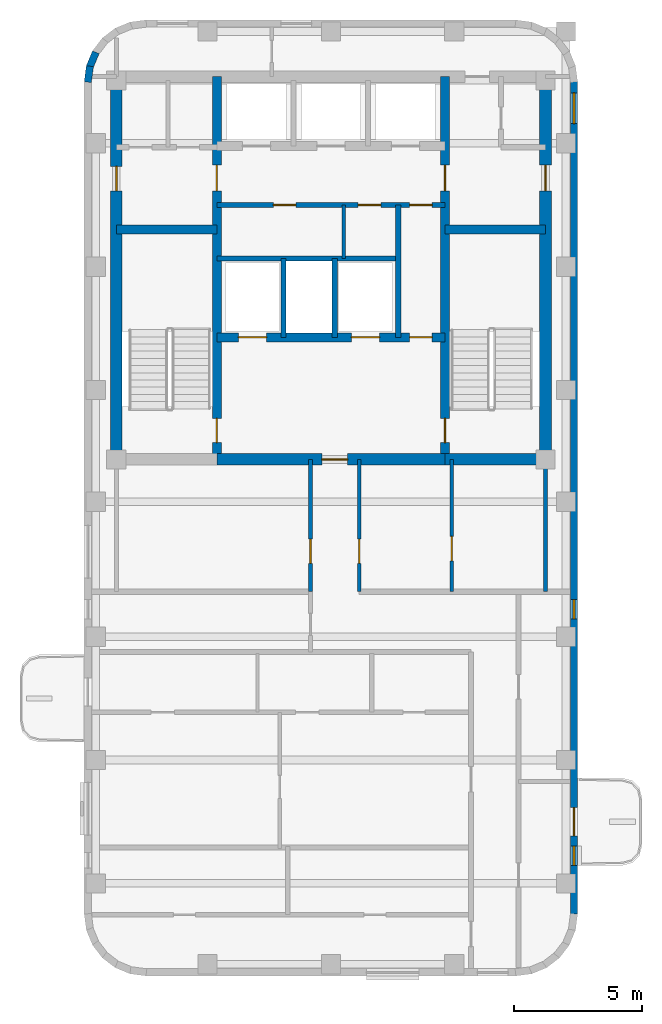
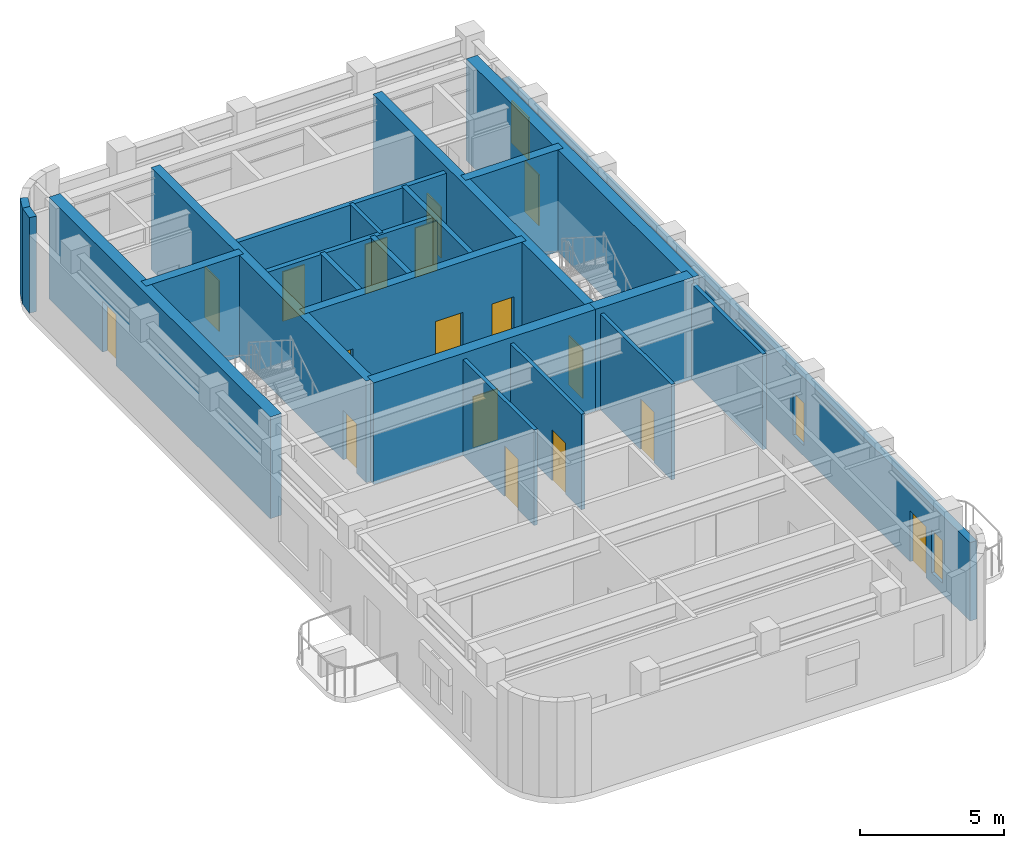
# One storey, part 3 of 5: 22 walls, 17 doors, 3 windows, 20 openings.
"""IFC4 building model written with IfcOpenShell, lengths in metres."""

from ifc_helpers import new_model, si_unit, direction, frame, frame_2d, origin, place, context, subcontext, project, spatial, rectangle, extrude, material, layer, layer_set, type_object, element, fill, save


model = new_model("IFC4")

# Units and contexts
model_context = context("Model", 3, precision=1e-05, world=origin(), true_north=direction((0.0, 1.0)))
body_context = subcontext(model_context, "Body", "Model", "MODEL_VIEW")
ifc_project = project(units=[si_unit("LENGTHUNIT", "METRE"), si_unit("AREAUNIT", "SQUARE_METRE"), si_unit("VOLUMEUNIT", "CUBIC_METRE"), si_unit("PLANEANGLEUNIT", "RADIAN"), si_unit("MASSUNIT", "GRAM", prefix="KILO")], contexts=[model_context])

# Site, building, storey
site_placement = place(None, origin())
site = spatial("IfcSite", under=ifc_project, at=site_placement, CompositionType="ELEMENT")
building_placement = place(site_placement, origin())
building = spatial("IfcBuilding", under=site, at=building_placement, Name="Orvandelia Arch Residences", CompositionType="ELEMENT")
storey_placement = place(building_placement, frame((0.0, 0.0, 282.800048828125)))
storey = spatial("IfcBuildingStorey", under=building, at=storey_placement, Name="L73", CompositionType="ELEMENT", Elevation=282.800048828125)

# Wall, openings, doors
ifc_material_1 = material(Name="Concrete C50/60", Category="concrete")
ifc_layer_1 = layer(ifc_material_1, 0.35009765625, Name="Concrete C50/60", Category="concrete")
ifc_layer_set_1 = layer_set([ifc_layer_1], Name="Concrete C50/60")
wall_type_1 = type_object("IfcWallType", Name="WL-CORE-350", PredefinedType="SHEAR", material=ifc_layer_set_1)
wall_1_placement = place(storey_placement, frame((9.9599609375, 30.89990234375, 0.0), z_axis=(0.0, 0.0, 1.0), x_axis=(0.0, 1.0, 0.0)))
wall_1 = element("IfcWall", 1, at=wall_1_placement, inside=storey, type_object=wall_type_1, Name="Core Shear Wall L73-WEB1", PredefinedType="SHEAR", context=body_context, shape_type="SweptSolid", body=[
    extrude(rectangle(XDim=14.900146484375, YDim=0.35009765625, at=frame_2d((7.4501953125, 0.0))), origin(), (0.0, 0.0, 1.0), 4.300048828125),
])
opening_1_placement = place(wall_1_placement, frame((0.64990234375, 0.0, 0.0)))
opening_1 = element("IfcOpeningElement", 2, at=opening_1_placement, cuts=wall_1, Name="Opening D7", PredefinedType="OPENING", context=body_context, shape_type="SweptSolid", body=[
    extrude(rectangle(XDim=0.949951171875, YDim=2.10009765625, at=frame_2d((0.47509765625, 1.050048828125))), frame((0.0, 0.18505859375, 0.0), z_axis=(0.0, -1.0, 0.0), x_axis=(1.0, 0.0, 0.0)), (0.0, 0.0, 1.0), 0.3701171875),
])
opening_2_placement = place(wall_1_placement, frame((10.449951171875, 0.0, 0.0)))
opening_2 = element("IfcOpeningElement", 3, at=opening_2_placement, cuts=wall_1, Name="Opening D6", PredefinedType="OPENING", context=body_context, shape_type="SweptSolid", body=[
    extrude(rectangle(XDim=1.0, YDim=2.14990234375, at=frame_2d((0.5, 1.074951171875))), frame((0.0, 0.18505859375, 0.0), z_axis=(0.0, -1.0, 0.0), x_axis=(1.0, 0.0, 0.0)), (0.0, 0.0, 1.0), 0.3701171875),
])
ifc_material_2 = material(Name="Smokeproof Painted Steel Fire Door", Category="steel")
door_type_1 = type_object("IfcDoorType", Name="DR-FD60-1000", OperationType="NOTDEFINED", PredefinedType="DOOR", material=ifc_material_2)
door_1_placement = place(opening_2_placement, origin())
door_1 = element("IfcDoor", 4, at=door_1_placement, inside=storey, type_object=door_type_1, Name="High-Rise Lift Hall West Vestibule Door L73", OperationType="SINGLE_SWING_LEFT", OverallHeight=2.14990234375, OverallWidth=1.0, PredefinedType="DOOR", context=body_context, shape_type="SweptSolid", body=[
    extrude(rectangle(XDim=1.0, YDim=2.14990234375, at=frame_2d((0.5, 1.074951171875))), frame((0.0, 0.02490234375, 0.0), z_axis=(0.0, -1.0, 0.0), x_axis=(1.0, 0.0, 0.0)), (0.0, 0.0, 1.0), 0.050048828125),
])
fill(opening_2, door_1)
ifc_material_3 = material(Name="Pressurised Stairwell Fire Door")
door_type_2 = type_object("IfcDoorType", Name="DR-STAIR-950", OperationType="NOTDEFINED", PredefinedType="DOOR", material=ifc_material_3)
door_2_placement = place(opening_1_placement, origin())
door_2 = element("IfcDoor", 5, at=door_2_placement, inside=storey, type_object=door_type_2, Name="Stairwell ST-1 Fire Door L73", OperationType="SINGLE_SWING_LEFT", OverallHeight=2.10009765625, OverallWidth=0.949951171875, PredefinedType="DOOR", context=body_context, shape_type="SweptSolid", body=[
    extrude(rectangle(XDim=0.949951171875, YDim=2.10009765625, at=frame_2d((0.47509765625, 1.050048828125))), frame((0.0, 0.02490234375, 0.0), z_axis=(0.0, -1.0, 0.0), x_axis=(1.0, 0.0, 0.0)), (0.0, 0.0, 1.0), 0.050048828125),
])
fill(opening_1, door_2)

wall_2_placement = place(storey_placement, frame((18.840087890625, 30.89990234375, 0.0), z_axis=(0.0, 0.0, 1.0), x_axis=(0.0, 1.0, 0.0)))
wall_2 = element("IfcWall", 6, at=wall_2_placement, inside=storey, type_object=wall_type_1, Name="Core Shear Wall L73-WEB2", PredefinedType="SHEAR", context=body_context, shape_type="SweptSolid", body=[
    extrude(rectangle(XDim=14.900146484375, YDim=0.35009765625, at=frame_2d((7.4501953125, 0.0))), origin(), (0.0, 0.0, 1.0), 4.300048828125),
])
opening_3_placement = place(wall_2_placement, frame((0.64990234375, 0.0, 0.0)))
opening_3 = element("IfcOpeningElement", 7, at=opening_3_placement, cuts=wall_2, Name="Opening D7", PredefinedType="OPENING", context=body_context, shape_type="SweptSolid", body=[
    extrude(rectangle(XDim=0.949951171875, YDim=2.10009765625, at=frame_2d((0.47509765625, 1.050048828125))), frame((0.0, 0.18505859375, 0.0), z_axis=(0.0, -1.0, 0.0), x_axis=(1.0, 0.0, 0.0)), (0.0, 0.0, 1.0), 0.3701171875),
])
opening_4_placement = place(wall_2_placement, frame((10.449951171875, 0.0, 0.0)))
opening_4 = element("IfcOpeningElement", 8, at=opening_4_placement, cuts=wall_2, Name="Opening D6", PredefinedType="OPENING", context=body_context, shape_type="SweptSolid", body=[
    extrude(rectangle(XDim=1.0, YDim=2.14990234375, at=frame_2d((0.5, 1.074951171875))), frame((0.0, 0.18505859375, 0.0), z_axis=(0.0, -1.0, 0.0), x_axis=(1.0, 0.0, 0.0)), (0.0, 0.0, 1.0), 0.3701171875),
])
door_3_placement = place(opening_4_placement, origin())
door_3 = element("IfcDoor", 9, at=door_3_placement, inside=storey, type_object=door_type_1, Name="High-Rise Lift Hall East Vestibule Door L73", OperationType="SINGLE_SWING_RIGHT", OverallHeight=2.14990234375, OverallWidth=1.0, PredefinedType="DOOR", context=body_context, shape_type="SweptSolid", body=[
    extrude(rectangle(XDim=1.0, YDim=2.14990234375, at=frame_2d((0.5, 1.074951171875))), frame((0.0, 0.02490234375, 0.0), z_axis=(0.0, -1.0, 0.0), x_axis=(1.0, 0.0, 0.0)), (0.0, 0.0, 1.0), 0.050048828125),
])
fill(opening_4, door_3)
door_4_placement = place(opening_3_placement, origin())
door_4 = element("IfcDoor", 10, at=door_4_placement, inside=storey, type_object=door_type_2, Name="Stairwell ST-2 Fire Door L73", OperationType="SINGLE_SWING_RIGHT", OverallHeight=2.10009765625, OverallWidth=0.949951171875, PredefinedType="DOOR", context=body_context, shape_type="SweptSolid", body=[
    extrude(rectangle(XDim=0.949951171875, YDim=2.10009765625, at=frame_2d((0.47509765625, 1.050048828125))), frame((0.0, 0.02490234375, 0.0), z_axis=(0.0, -1.0, 0.0), x_axis=(1.0, 0.0, 0.0)), (0.0, 0.0, 1.0), 0.050048828125),
])
fill(opening_3, door_4)

# Walls
for number, where, z_axis, x_axis, name in (
    (11, (6.050048828125, 39.85009765625, 0.0), (0.0, 0.0, 1.0), (1.0, 0.0, 0.0), "Core Shear Wall L73-HZ1"),
    (12, (18.840087890625, 39.85009765625, 0.0), (0.0, 0.0, 1.0), (1.0, 0.0, 0.0), "Core Shear Wall L73-HZ2"),
):
    element("IfcWall", number, at=place(storey_placement, frame(where, z_axis=z_axis, x_axis=x_axis)), inside=storey, type_object=wall_type_1, Name=name, PredefinedType="SHEAR", context=body_context, shape_type="SweptSolid", body=[
        extrude(rectangle(XDim=3.909912109375, YDim=0.35009765625, at=frame_2d((1.955078125, 0.0))), origin(), (0.0, 0.0, 1.0), 4.300048828125),
    ])

# Wall, openings, doors
wall_3_placement = place(storey_placement, frame((9.9599609375, 35.64990234375, 0.0), z_axis=(0.0, 0.0, 1.0), x_axis=(1.0, 0.0, 0.0)))
wall_3 = element("IfcWall", 13, at=wall_3_placement, inside=storey, type_object=wall_type_1, Name="Core Shear Wall L73-HZ3", PredefinedType="SHEAR", context=body_context, shape_type="SweptSolid", body=[
    extrude(rectangle(XDim=8.880126953125, YDim=0.35009765625, at=frame_2d((4.43994140625, 0.0))), origin(), (0.0, 0.0, 1.0), 4.300048828125),
])
opening_5_placement = place(wall_3_placement, frame((0.840087890625, 0.0, 0.0)))
opening_5 = element("IfcOpeningElement", 14, at=opening_5_placement, cuts=wall_3, Name="Opening FLD", PredefinedType="OPENING", context=body_context, shape_type="SweptSolid", body=[
    extrude(rectangle(XDim=1.10009765625, YDim=2.14990234375, at=frame_2d((0.550048828125, 1.074951171875))), frame((0.0, 0.18505859375, 0.0), z_axis=(0.0, -1.0, 0.0), x_axis=(1.0, 0.0, 0.0)), (0.0, 0.0, 1.0), 0.3701171875),
])
opening_6_placement = place(wall_3_placement, frame((5.239990234375, 0.0, 0.0)))
opening_6 = element("IfcOpeningElement", 15, at=opening_6_placement, cuts=wall_3, Name="Opening FLD", PredefinedType="OPENING", context=body_context, shape_type="SweptSolid", body=[
    extrude(rectangle(XDim=1.10009765625, YDim=2.14990234375, at=frame_2d((0.550048828125, 1.074951171875))), frame((0.0, 0.18505859375, 0.0), z_axis=(0.0, -1.0, 0.0), x_axis=(1.0, 0.0, 0.0)), (0.0, 0.0, 1.0), 0.3701171875),
])
opening_7_placement = place(wall_3_placement, frame((7.5, 0.0, 0.0)))
opening_7 = element("IfcOpeningElement", 16, at=opening_7_placement, cuts=wall_3, Name="Opening D5", PredefinedType="OPENING", context=body_context, shape_type="SweptSolid", body=[
    extrude(rectangle(XDim=0.8798828125, YDim=2.10009765625, at=frame_2d((0.43994140625, 1.050048828125))), frame((0.0, 0.18505859375, 0.0), z_axis=(0.0, -1.0, 0.0), x_axis=(1.0, 0.0, 0.0)), (0.0, 0.0, 1.0), 0.3701171875),
])
ifc_material_4 = material(Name="Firefighting Lift Stainless Sliding Door")
door_type_3 = type_object("IfcDoorType", Name="DR-FLFT-1100", OperationType="NOTDEFINED", PredefinedType="DOOR", material=ifc_material_4)
door_5_placement = place(opening_5_placement, origin())
door_5 = element("IfcDoor", 17, at=door_5_placement, inside=storey, type_object=door_type_3, Name="Firefighting Lift Landing Door FLD-FL1-L73", OperationType="SLIDING_TO_LEFT", OverallHeight=2.14990234375, OverallWidth=1.10009765625, PredefinedType="DOOR", context=body_context, shape_type="SweptSolid", body=[
    extrude(rectangle(XDim=1.10009765625, YDim=2.14990234375, at=frame_2d((0.550048828125, 1.074951171875))), frame((0.0, 0.02490234375, 0.0), z_axis=(0.0, -1.0, 0.0), x_axis=(1.0, 0.0, 0.0)), (0.0, 0.0, 1.0), 0.050048828125),
])
fill(opening_5, door_5)
door_6_placement = place(opening_6_placement, origin())
door_6 = element("IfcDoor", 18, at=door_6_placement, inside=storey, type_object=door_type_3, Name="Firefighting Lift Landing Door FLD-FL2-L73", OperationType="SLIDING_TO_RIGHT", OverallHeight=2.14990234375, OverallWidth=1.10009765625, PredefinedType="DOOR", context=body_context, shape_type="SweptSolid", body=[
    extrude(rectangle(XDim=1.10009765625, YDim=2.14990234375, at=frame_2d((0.550048828125, 1.074951171875))), frame((0.0, 0.02490234375, 0.0), z_axis=(0.0, -1.0, 0.0), x_axis=(1.0, 0.0, 0.0)), (0.0, 0.0, 1.0), 0.050048828125),
])
fill(opening_6, door_6)
ifc_material_5 = material(Name="Painted Galvanised Steel Service Door", Category="steel")
door_type_4 = type_object("IfcDoorType", Name="DR-SRV-880", OperationType="NOTDEFINED", PredefinedType="DOOR", material=ifc_material_5)
door_7_placement = place(opening_7_placement, origin())
door_7 = element("IfcDoor", 19, at=door_7_placement, inside=storey, type_object=door_type_4, Name="Core Stairway Passage South Fire Door L73", OperationType="SINGLE_SWING_LEFT", OverallHeight=2.10009765625, OverallWidth=0.8798828125, PredefinedType="DOOR", context=body_context, shape_type="SweptSolid", body=[
    extrude(rectangle(XDim=0.8798828125, YDim=2.10009765625, at=frame_2d((0.43994140625, 1.050048828125))), frame((0.0, 0.02490234375, 0.0), z_axis=(0.0, -1.0, 0.0), x_axis=(1.0, 0.0, 0.0)), (0.0, 0.0, 1.0), 0.050048828125),
])
fill(opening_7, door_7)

# Wall, opening, door
ifc_layer_2 = layer(ifc_material_1, 0.449951171875, Name="Concrete C50/60", Category="concrete")
ifc_layer_set_2 = layer_set([ifc_layer_2], Name="Concrete C50/60")
wall_type_2 = type_object("IfcWallType", Name="WL-CORE-450", PredefinedType="SHEAR", material=ifc_layer_set_2)
wall_4_placement = place(storey_placement, frame((6.050048828125, 30.675048828125, 0.0), z_axis=(0.0, 0.0, 1.0), x_axis=(0.0, 1.0, 0.0)))
wall_4 = element("IfcWall", 20, at=wall_4_placement, inside=storey, type_object=wall_type_2, Name="Core Shear Wall L73-W", PredefinedType="SHEAR", context=body_context, shape_type="SweptSolid", body=[
    extrude(rectangle(XDim=15.349853515625, YDim=0.449951171875, at=frame_2d((7.6748046875, 0.0))), origin(), (0.0, 0.0, 1.0), 4.300048828125),
])
opening_8_placement = place(wall_4_placement, frame((10.675048828125, 0.0, 0.0)))
opening_8 = element("IfcOpeningElement", 21, at=opening_8_placement, cuts=wall_4, Name="Opening D2", PredefinedType="OPENING", context=body_context, shape_type="SweptSolid", body=[
    extrude(rectangle(XDim=0.949951171875, YDim=2.14990234375, at=frame_2d((0.47509765625, 1.074951171875))), frame((0.0, 0.23486328125, 0.0), z_axis=(0.0, -1.0, 0.0), x_axis=(1.0, 0.0, 0.0)), (0.0, 0.0, 1.0), 0.469970703125),
])
ifc_material_6 = material(Name="Solid-Core Timber Interior Fire Door", Category="wood")
door_type_5 = type_object("IfcDoorType", Name="DR-APT-950", OperationType="NOTDEFINED", PredefinedType="DOOR", material=ifc_material_6)
door_8_placement = place(opening_8_placement, origin())
door_8 = element("IfcDoor", 22, at=door_8_placement, inside=storey, type_object=door_type_5, Name="West Viewing Study Door L73", OperationType="SINGLE_SWING_RIGHT", OverallHeight=2.14990234375, OverallWidth=0.949951171875, PredefinedType="DOOR", context=body_context, shape_type="SweptSolid", body=[
    extrude(rectangle(XDim=0.949951171875, YDim=2.14990234375, at=frame_2d((0.47509765625, 1.074951171875))), frame((0.0, 0.02490234375, 0.0), z_axis=(0.0, -1.0, 0.0), x_axis=(1.0, 0.0, 0.0)), (0.0, 0.0, 1.0), 0.050048828125),
])
fill(opening_8, door_8)

wall_5_placement = place(storey_placement, frame((22.75, 30.675048828125, 0.0), z_axis=(0.0, 0.0, 1.0), x_axis=(0.0, 1.0, 0.0)))
wall_5 = element("IfcWall", 23, at=wall_5_placement, inside=storey, type_object=wall_type_2, Name="Core Shear Wall L73-E", PredefinedType="SHEAR", context=body_context, shape_type="SweptSolid", body=[
    extrude(rectangle(XDim=15.349853515625, YDim=0.449951171875, at=frame_2d((7.6748046875, 0.0))), origin(), (0.0, 0.0, 1.0), 4.300048828125),
])
opening_9_placement = place(wall_5_placement, frame((10.675048828125, 0.0, 0.0)))
opening_9 = element("IfcOpeningElement", 24, at=opening_9_placement, cuts=wall_5, Name="Opening D6", PredefinedType="OPENING", context=body_context, shape_type="SweptSolid", body=[
    extrude(rectangle(XDim=1.0, YDim=2.14990234375, at=frame_2d((0.5, 1.074951171875))), frame((0.0, 0.23486328125, 0.0), z_axis=(0.0, -1.0, 0.0), x_axis=(1.0, 0.0, 0.0)), (0.0, 0.0, 1.0), 0.469970703125),
])
door_9_placement = place(opening_9_placement, origin())
door_9 = element("IfcDoor", 25, at=door_9_placement, inside=storey, type_object=door_type_1, Name="Core East Corridor Link Door L73", OperationType="SINGLE_SWING_LEFT", OverallHeight=2.14990234375, OverallWidth=1.0, PredefinedType="DOOR", context=body_context, shape_type="SweptSolid", body=[
    extrude(rectangle(XDim=1.0, YDim=2.14990234375, at=frame_2d((0.5, 1.074951171875))), frame((0.0, 0.02490234375, 0.0), z_axis=(0.0, -1.0, 0.0), x_axis=(1.0, 0.0, 0.0)), (0.0, 0.0, 1.0), 0.050048828125),
])
fill(opening_9, door_9)

wall_6_placement = place(storey_placement, frame((9.9599609375, 30.89990234375, 0.0), z_axis=(0.0, 0.0, 1.0), x_axis=(1.0, 0.0, 0.0)))
wall_6 = element("IfcWall", 26, at=wall_6_placement, inside=storey, type_object=wall_type_2, Name="Core Shear Wall L73-SM", PredefinedType="SHEAR", context=body_context, shape_type="SweptSolid", body=[
    extrude(rectangle(XDim=8.880126953125, YDim=0.449951171875, at=frame_2d((4.43994140625, 0.0))), origin(), (0.0, 0.0, 1.0), 4.300048828125),
])
opening_10_placement = place(wall_6_placement, frame((4.090087890625, 0.0, 0.0)))
opening_10 = element("IfcOpeningElement", 27, at=opening_10_placement, cuts=wall_6, Name="Opening D6", PredefinedType="OPENING", context=body_context, shape_type="SweptSolid", body=[
    extrude(rectangle(XDim=1.0, YDim=2.14990234375, at=frame_2d((0.5, 1.074951171875))), frame((0.0, 0.23486328125, 0.0), z_axis=(0.0, -1.0, 0.0), x_axis=(1.0, 0.0, 0.0)), (0.0, 0.0, 1.0), 0.469970703125),
])
door_10_placement = place(opening_10_placement, origin())
door_10 = element("IfcDoor", 28, at=door_10_placement, inside=storey, type_object=door_type_1, Name="Firefighting Lobby Smokeproof Door L73", OperationType="SINGLE_SWING_LEFT", OverallHeight=2.14990234375, OverallWidth=1.0, PredefinedType="DOOR", context=body_context, shape_type="SweptSolid", body=[
    extrude(rectangle(XDim=1.0, YDim=2.14990234375, at=frame_2d((0.5, 1.074951171875))), frame((0.0, 0.02490234375, 0.0), z_axis=(0.0, -1.0, 0.0), x_axis=(1.0, 0.0, 0.0)), (0.0, 0.0, 1.0), 0.050048828125),
])
fill(opening_10, door_10)

# Walls
wall_7_placement = place(storey_placement, frame((18.840087890625, 30.89990234375, 0.0), z_axis=(0.0, 0.0, 1.0), x_axis=(1.0, 0.0, 0.0)))
element("IfcWall", 29, at=wall_7_placement, inside=storey, type_object=wall_type_2, Name="Core Shear Wall L73-SE", PredefinedType="SHEAR", context=body_context, shape_type="SweptSolid", body=[
    extrude(rectangle(XDim=3.909912109375, YDim=0.449951171875, at=frame_2d((1.955078125, 0.0))), origin(), (0.0, 0.0, 1.0), 4.300048828125),
])
ifc_material_7 = material(Name="Precast concrete C40/50", Category="concrete")
ifc_layer_3 = layer(ifc_material_7, 0.280029296875, Name="Precast concrete C40/50", Category="concrete")
ifc_layer_set_3 = layer_set([ifc_layer_3], Name="Precast concrete C40/50")
wall_type_3 = type_object("IfcWallType", Name="WL-EXT-STONE-280", PredefinedType="STANDARD", material=ifc_layer_set_3)
for number, where, z_axis, x_axis, name in (
    (30, (4.938720703125, 45.581787109375, 0.0), (0.0, 0.0, 1.0), (0.130555323746, 0.9914410257, 0.0), "Coral-Limestone Precast Facade Wall L73-001"),
    (31, (5.010986328125, 46.16748046875, 0.0), (0.0, 0.0, 1.0), (0.382650053678, 0.92389335771, 0.0), "Coral-Limestone Precast Facade Wall L73-002"),
):
    element("IfcWall", number, at=place(storey_placement, frame(where, z_axis=z_axis, x_axis=x_axis)), inside=storey, type_object=wall_type_3, Name=name, PredefinedType="STANDARD", context=body_context, shape_type="SweptSolid", body=[
        extrude(rectangle(XDim=0.62646484375, YDim=0.280029296875, at=frame_2d((0.313232421875, 0.0))), origin(), (0.0, 0.0, 1.0), 4.0400390625),
    ])

# Wall, openings, door, windows
wall_8_placement = place(storey_placement, frame((23.860107421875, 45.60009765625, 0.0), z_axis=(0.0, 0.0, 1.0), x_axis=(0.0, -1.0, 0.0)))
wall_8 = element("IfcWall", 32, at=wall_8_placement, inside=storey, type_object=wall_type_3, Name="Coral-Limestone Precast Facade Wall L73-014", PredefinedType="STANDARD", context=body_context, shape_type="SweptSolid", body=[
    extrude(rectangle(XDim=32.400146484375, YDim=0.280029296875, at=frame_2d((16.2001953125, 0.0))), origin(), (0.0, 0.0, 1.0), 3.320068359375),
])
opening_11_placement = place(wall_8_placement, frame((28.25, 0.0, 0.0)))
opening_11 = element("IfcOpeningElement", 33, at=opening_11_placement, cuts=wall_8, Name="Opening BD1", PredefinedType="OPENING", context=body_context, shape_type="SweptSolid", body=[
    extrude(rectangle(XDim=1.10009765625, YDim=2.14990234375, at=frame_2d((0.550048828125, 1.074951171875))), frame((0.0, 0.14990234375, 0.0), z_axis=(0.0, -1.0, 0.0), x_axis=(1.0, 0.0, 0.0)), (0.0, 0.0, 1.0), 0.300048828125),
])
opening_12_placement = place(wall_8_placement, frame((29.75244140625, 0.0, 0.449951171875)))
opening_12 = element("IfcOpeningElement", 34, at=opening_12_placement, cuts=wall_8, Name="Opening W11", PredefinedType="OPENING", context=body_context, shape_type="SweptSolid", body=[
    extrude(rectangle(XDim=0.75, YDim=1.800048828125, at=frame_2d((0.375, 0.89990234375))), frame((0.0, 0.14990234375, 0.0), z_axis=(0.0, -1.0, 0.0), x_axis=(1.0, 0.0, 0.0)), (0.0, 0.0, 1.0), 0.300048828125),
])
opening_13_placement = place(wall_8_placement, frame((20.152587890625, 0.0, 0.449951171875)))
opening_13 = element("IfcOpeningElement", 35, at=opening_13_placement, cuts=wall_8, Name="Opening W11", PredefinedType="OPENING", context=body_context, shape_type="SweptSolid", body=[
    extrude(rectangle(XDim=0.75, YDim=1.800048828125, at=frame_2d((0.375, 0.89990234375))), frame((0.0, 0.14990234375, 0.0), z_axis=(0.0, -1.0, 0.0), x_axis=(1.0, 0.0, 0.0)), (0.0, 0.0, 1.0), 0.300048828125),
])
opening_14_placement = place(wall_8_placement, frame((0.4326171875, 0.0, 0.800048828125)))
opening_14 = element("IfcOpeningElement", 36, at=opening_14_placement, cuts=wall_8, Name="Opening W3", PredefinedType="OPENING", context=body_context, shape_type="SweptSolid", body=[
    extrude(rectangle(XDim=1.199951171875, YDim=1.800048828125, at=frame_2d((0.60009765625, 0.89990234375))), frame((0.0, 0.14990234375, 0.0), z_axis=(0.0, -1.0, 0.0), x_axis=(1.0, 0.0, 0.0)), (0.0, 0.0, 1.0), 0.300048828125),
])
ifc_material_8 = material(Name="Thermally Broken Aluminium Glazed Door", Category="aluminium")
door_type_6 = type_object("IfcDoorType", Name="DR-BAL-GLAZ-1100", OperationType="NOTDEFINED", PredefinedType="DOOR", material=ifc_material_8)
door_11_placement = place(opening_11_placement, origin())
door_11 = element("IfcDoor", 37, at=door_11_placement, inside=storey, type_object=door_type_6, Name="Tree Balcony Glazed Door BAL-L73-W2", OperationType="SINGLE_SWING_LEFT", OverallHeight=2.14990234375, OverallWidth=1.10009765625, PredefinedType="DOOR", context=body_context, shape_type="SweptSolid", body=[
    extrude(rectangle(XDim=1.10009765625, YDim=2.14990234375, at=frame_2d((0.550048828125, 1.074951171875))), frame((0.0, 0.02490234375, 0.0), z_axis=(0.0, -1.0, 0.0), x_axis=(1.0, 0.0, 0.0)), (0.0, 0.0, 1.0), 0.050048828125),
])
fill(opening_11, door_11)
ifc_material_9 = material(Name="Tempered Low-E Insulated Glazing", Category="glass")
window_type_1 = type_object("IfcWindowType", Name="WIN-BED-0750x1800", PartitioningType="SINGLE_PANEL", PredefinedType="WINDOW", material=ifc_material_9)
window_1_placement = place(opening_12_placement, origin())
window_1 = element("IfcWindow", 38, at=window_1_placement, inside=storey, type_object=window_type_1, Name="Recessed Punched Window L73-003", OverallHeight=1.800048828125, OverallWidth=0.75, PartitioningType="SINGLE_PANEL", PredefinedType="WINDOW", context=body_context, shape_type="SweptSolid", body=[
    extrude(rectangle(XDim=0.75, YDim=1.800048828125, at=frame_2d((0.375, 0.89990234375))), frame((0.0, 0.030029296875, 0.0), z_axis=(0.0, -1.0, 0.0), x_axis=(1.0, 0.0, 0.0)), (0.0, 0.0, 1.0), 0.06005859375),
])
fill(opening_12, window_1)
window_2_placement = place(opening_13_placement, origin())
window_2 = element("IfcWindow", 39, at=window_2_placement, inside=storey, type_object=window_type_1, Name="Recessed Punched Window L73-004", OverallHeight=1.800048828125, OverallWidth=0.75, PartitioningType="SINGLE_PANEL", PredefinedType="WINDOW", context=body_context, shape_type="SweptSolid", body=[
    extrude(rectangle(XDim=0.75, YDim=1.800048828125, at=frame_2d((0.375, 0.89990234375))), frame((0.0, 0.030029296875, 0.0), z_axis=(0.0, -1.0, 0.0), x_axis=(1.0, 0.0, 0.0)), (0.0, 0.0, 1.0), 0.06005859375),
])
fill(opening_13, window_2)
window_type_2 = type_object("IfcWindowType", Name="WIN-RES-1200x1800", PartitioningType="SINGLE_PANEL", PredefinedType="WINDOW", material=ifc_material_9)
window_3_placement = place(opening_14_placement, origin())
window_3 = element("IfcWindow", 40, at=window_3_placement, inside=storey, type_object=window_type_2, Name="Recessed Punched Window L73-005", OverallHeight=1.800048828125, OverallWidth=1.199951171875, PartitioningType="SINGLE_PANEL", PredefinedType="WINDOW", context=body_context, shape_type="SweptSolid", body=[
    extrude(rectangle(XDim=1.199951171875, YDim=1.800048828125, at=frame_2d((0.60009765625, 0.89990234375))), frame((0.0, 0.030029296875, 0.0), z_axis=(0.0, -1.0, 0.0), x_axis=(1.0, 0.0, 0.0)), (0.0, 0.0, 1.0), 0.06005859375),
])
fill(opening_14, window_3)

# Wall
ifc_material_10 = material(Name="Acoustic Gypsum Stud Partition")
ifc_layer_4 = layer(ifc_material_10, 0.14990234375, Name="Acoustic Gypsum Stud Partition")
ifc_layer_set_4 = layer_set([ifc_layer_4], Name="Acoustic Gypsum Stud Partition")
wall_type_4 = type_object("IfcWallType", Name="WL-PART-150", PredefinedType="PARTITIONING", material=ifc_layer_set_4)
wall_9_placement = place(storey_placement, frame((14.89990234375, 38.719970703125, 0.0), z_axis=(0.0, 0.0, 1.0), x_axis=(0.0, 1.0, 0.0)))
element("IfcWall", 41, at=wall_9_placement, inside=storey, type_object=wall_type_4, Name="Interior Partition Wall WL-L73-CSA-1", PredefinedType="PARTITIONING", context=body_context, shape_type="SweptSolid", body=[
    extrude(rectangle(XDim=2.080078125, YDim=0.14990234375, at=frame_2d((1.0400390625, 0.0))), origin(), (0.0, 0.0, 1.0), 4.0400390625),
])

# Wall, opening, door
wall_10_placement = place(storey_placement, frame((13.60009765625, 25.75, 0.0), z_axis=(0.0, 0.0, 1.0), x_axis=(0.0, 1.0, 0.0)))
wall_10 = element("IfcWall", 42, at=wall_10_placement, inside=storey, type_object=wall_type_4, Name="Interior Partition Wall WL-L73-HI-W1", PredefinedType="PARTITIONING", context=body_context, shape_type="SweptSolid", body=[
    extrude(rectangle(XDim=5.14990234375, YDim=0.14990234375, at=frame_2d((2.574951171875, 0.0))), origin(), (0.0, 0.0, 1.0), 4.0400390625),
])
opening_15_placement = place(wall_10_placement, frame((1.10009765625, 0.0, 0.0)))
opening_15 = element("IfcOpeningElement", 43, at=opening_15_placement, cuts=wall_10, Name="Opening D2", PredefinedType="OPENING", context=body_context, shape_type="SweptSolid", body=[
    extrude(rectangle(XDim=0.949951171875, YDim=2.14990234375, at=frame_2d((0.47509765625, 1.074951171875))), frame((0.0, 0.0849609375, 0.0), z_axis=(0.0, -1.0, 0.0), x_axis=(1.0, 0.0, 0.0)), (0.0, 0.0, 1.0), 0.169921875),
])
door_12_placement = place(opening_15_placement, origin())
door_12 = element("IfcDoor", 44, at=door_12_placement, inside=storey, type_object=door_type_5, Name="DR-L73-HIR1", OperationType="SINGLE_SWING_LEFT", OverallHeight=2.14990234375, OverallWidth=0.949951171875, PredefinedType="DOOR", context=body_context, shape_type="SweptSolid", body=[
    extrude(rectangle(XDim=0.949951171875, YDim=2.14990234375, at=frame_2d((0.47509765625, 1.074951171875))), frame((0.0, 0.02490234375, 0.0), z_axis=(0.0, -1.0, 0.0), x_axis=(1.0, 0.0, 0.0)), (0.0, 0.0, 1.0), 0.050048828125),
])
fill(opening_15, door_12)

wall_11_placement = place(storey_placement, frame((15.5, 25.75, 0.0), z_axis=(0.0, 0.0, 1.0), x_axis=(0.0, 1.0, 0.0)))
wall_11 = element("IfcWall", 45, at=wall_11_placement, inside=storey, type_object=wall_type_4, Name="Interior Partition Wall WL-L73-HI-W2", PredefinedType="PARTITIONING", context=body_context, shape_type="SweptSolid", body=[
    extrude(rectangle(XDim=5.14990234375, YDim=0.14990234375, at=frame_2d((2.574951171875, 0.0))), origin(), (0.0, 0.0, 1.0), 4.0400390625),
])
opening_16_placement = place(wall_11_placement, frame((1.10009765625, 0.0, 0.0)))
opening_16 = element("IfcOpeningElement", 46, at=opening_16_placement, cuts=wall_11, Name="Opening D2", PredefinedType="OPENING", context=body_context, shape_type="SweptSolid", body=[
    extrude(rectangle(XDim=0.949951171875, YDim=2.14990234375, at=frame_2d((0.47509765625, 1.074951171875))), frame((0.0, 0.0849609375, 0.0), z_axis=(0.0, -1.0, 0.0), x_axis=(1.0, 0.0, 0.0)), (0.0, 0.0, 1.0), 0.169921875),
])
door_13_placement = place(opening_16_placement, origin())
door_13 = element("IfcDoor", 47, at=door_13_placement, inside=storey, type_object=door_type_5, Name="DR-L73-HIR2A", OperationType="SINGLE_SWING_RIGHT", OverallHeight=2.14990234375, OverallWidth=0.949951171875, PredefinedType="DOOR", context=body_context, shape_type="SweptSolid", body=[
    extrude(rectangle(XDim=0.949951171875, YDim=2.14990234375, at=frame_2d((0.47509765625, 1.074951171875))), frame((0.0, 0.02490234375, 0.0), z_axis=(0.0, -1.0, 0.0), x_axis=(1.0, 0.0, 0.0)), (0.0, 0.0, 1.0), 0.050048828125),
])
fill(opening_16, door_13)

# Wall
wall_12_placement = place(storey_placement, frame((22.75, 25.75, 0.0), z_axis=(0.0, 0.0, 1.0), x_axis=(0.0, 1.0, 0.0)))
element("IfcWall", 48, at=wall_12_placement, inside=storey, type_object=wall_type_4, Name="Interior Partition Wall WL-L73-HI-WE", PredefinedType="PARTITIONING", context=body_context, shape_type="SweptSolid", body=[
    extrude(rectangle(XDim=5.14990234375, YDim=0.14990234375, at=frame_2d((2.574951171875, 0.0))), origin(), (0.0, 0.0, 1.0), 4.0400390625),
])

# Wall, opening, door
wall_13_placement = place(storey_placement, frame((19.10009765625, 25.75, 0.0), z_axis=(0.0, 0.0, 1.0), x_axis=(0.0, 1.0, 0.0)))
wall_13 = element("IfcWall", 49, at=wall_13_placement, inside=storey, type_object=wall_type_4, Name="Interior Partition Wall WL-L73-HIR-M2", PredefinedType="PARTITIONING", context=body_context, shape_type="SweptSolid", body=[
    extrude(rectangle(XDim=5.14990234375, YDim=0.14990234375, at=frame_2d((2.574951171875, 0.0))), origin(), (0.0, 0.0, 1.0), 4.0400390625),
])
opening_17_placement = place(wall_13_placement, frame((1.199951171875, 0.0, 0.0)))
opening_17 = element("IfcOpeningElement", 50, at=opening_17_placement, cuts=wall_13, Name="Opening D2", PredefinedType="OPENING", context=body_context, shape_type="SweptSolid", body=[
    extrude(rectangle(XDim=0.949951171875, YDim=2.14990234375, at=frame_2d((0.47509765625, 1.074951171875))), frame((0.0, 0.0849609375, 0.0), z_axis=(0.0, -1.0, 0.0), x_axis=(1.0, 0.0, 0.0)), (0.0, 0.0, 1.0), 0.169921875),
])
door_14_placement = place(opening_17_placement, origin())
door_14 = element("IfcDoor", 51, at=door_14_placement, inside=storey, type_object=door_type_5, Name="DR-L73-HIR2B", OperationType="SINGLE_SWING_LEFT", OverallHeight=2.14990234375, OverallWidth=0.949951171875, PredefinedType="DOOR", context=body_context, shape_type="SweptSolid", body=[
    extrude(rectangle(XDim=0.949951171875, YDim=2.14990234375, at=frame_2d((0.47509765625, 1.074951171875))), frame((0.0, 0.02490234375, 0.0), z_axis=(0.0, -1.0, 0.0), x_axis=(1.0, 0.0, 0.0)), (0.0, 0.0, 1.0), 0.050048828125),
])
fill(opening_17, door_14)

# Walls
ifc_material_11 = material(Name="Fire-Rated Shaft Enclosure Wall")
ifc_layer_5 = layer(ifc_material_11, 0.199951171875, Name="Fire-Rated Shaft Enclosure Wall")
ifc_layer_set_5 = layer_set([ifc_layer_5], Name="Fire-Rated Shaft Enclosure Wall")
wall_type_5 = type_object("IfcWallType", Name="WL-SHAFT-200", PredefinedType="POLYGONAL", material=ifc_layer_set_5)
wall_14_placement = place(storey_placement, frame((9.9599609375, 38.719970703125, 0.0), z_axis=(0.0, 0.0, 1.0), x_axis=(1.0, 0.0, 0.0)))
element("IfcWall", 52, at=wall_14_placement, inside=storey, type_object=wall_type_5, Name="Interior Partition Wall WL-L73-FLN", PredefinedType="POLYGONAL", context=body_context, shape_type="SweptSolid", body=[
    extrude(rectangle(XDim=7.06005859375, YDim=0.199951171875, at=frame_2d((3.530029296875, 0.0))), origin(), (0.0, 0.0, 1.0), 4.0400390625),
])
for number, where, z_axis, x_axis, name in (
    (53, (12.550048828125, 35.64990234375, 0.0), (0.0, 0.0, 1.0), (0.0, 1.0, 0.0), "Interior Partition Wall WL-L73-FLM1"),
    (54, (14.550048828125, 35.64990234375, 0.0), (0.0, 0.0, 1.0), (0.0, 1.0, 0.0), "Interior Partition Wall WL-L73-FLM2"),
):
    element("IfcWall", number, at=place(storey_placement, frame(where, z_axis=z_axis, x_axis=x_axis)), inside=storey, type_object=wall_type_5, Name=name, PredefinedType="POLYGONAL", context=body_context, shape_type="SweptSolid", body=[
        extrude(rectangle(XDim=3.070068359375, YDim=0.199951171875, at=frame_2d((1.53515625, 0.0))), origin(), (0.0, 0.0, 1.0), 4.0400390625),
    ])
wall_15_placement = place(storey_placement, frame((17.02001953125, 35.64990234375, 0.0), z_axis=(0.0, 0.0, 1.0), x_axis=(0.0, 1.0, 0.0)))
element("IfcWall", 55, at=wall_15_placement, inside=storey, type_object=wall_type_5, Name="Interior Partition Wall WL-L73-FLM3", PredefinedType="POLYGONAL", context=body_context, shape_type="SweptSolid", body=[
    extrude(rectangle(XDim=5.150146484375, YDim=0.199951171875, at=frame_2d((2.5751953125, 0.0))), origin(), (0.0, 0.0, 1.0), 4.0400390625),
])

# Wall, openings, doors
wall_16_placement = place(storey_placement, frame((9.9599609375, 40.800048828125, 0.0), z_axis=(0.0, 0.0, 1.0), x_axis=(1.0, 0.0, 0.0)))
wall_16 = element("IfcWall", 56, at=wall_16_placement, inside=storey, type_object=wall_type_5, Name="Interior Partition Wall WL-L73-HLH-S", PredefinedType="POLYGONAL", context=body_context, shape_type="SweptSolid", body=[
    extrude(rectangle(XDim=8.880126953125, YDim=0.199951171875, at=frame_2d((4.43994140625, 0.0))), origin(), (0.0, 0.0, 1.0), 4.0400390625),
])
opening_18_placement = place(wall_16_placement, frame((7.5, 0.0, 0.0)))
opening_18 = element("IfcOpeningElement", 57, at=opening_18_placement, cuts=wall_16, Name="Opening D5", PredefinedType="OPENING", context=body_context, shape_type="SweptSolid", body=[
    extrude(rectangle(XDim=0.8798828125, YDim=2.10009765625, at=frame_2d((0.43994140625, 1.050048828125))), frame((0.0, 0.10986328125, 0.0), z_axis=(0.0, -1.0, 0.0), x_axis=(1.0, 0.0, 0.0)), (0.0, 0.0, 1.0), 0.219970703125),
])
opening_19_placement = place(wall_16_placement, frame((2.199951171875, 0.0, 0.0)))
opening_19 = element("IfcOpeningElement", 58, at=opening_19_placement, cuts=wall_16, Name="Opening D5", PredefinedType="OPENING", context=body_context, shape_type="SweptSolid", body=[
    extrude(rectangle(XDim=0.8798828125, YDim=2.10009765625, at=frame_2d((0.43994140625, 1.050048828125))), frame((0.0, 0.10986328125, 0.0), z_axis=(0.0, -1.0, 0.0), x_axis=(1.0, 0.0, 0.0)), (0.0, 0.0, 1.0), 0.219970703125),
])
opening_20_placement = place(wall_16_placement, frame((5.5, 0.0, 0.0)))
opening_20 = element("IfcOpeningElement", 59, at=opening_20_placement, cuts=wall_16, Name="Opening D5", PredefinedType="OPENING", context=body_context, shape_type="SweptSolid", body=[
    extrude(rectangle(XDim=0.8798828125, YDim=2.10009765625, at=frame_2d((0.43994140625, 1.050048828125))), frame((0.0, 0.10986328125, 0.0), z_axis=(0.0, -1.0, 0.0), x_axis=(1.0, 0.0, 0.0)), (0.0, 0.0, 1.0), 0.219970703125),
])
door_15_placement = place(opening_18_placement, origin())
door_15 = element("IfcDoor", 60, at=door_15_placement, inside=storey, type_object=door_type_4, Name="Core Stairway Passage North Fire Door L73", OperationType="SINGLE_SWING_RIGHT", OverallHeight=2.10009765625, OverallWidth=0.8798828125, PredefinedType="DOOR", context=body_context, shape_type="SweptSolid", body=[
    extrude(rectangle(XDim=0.8798828125, YDim=2.10009765625, at=frame_2d((0.43994140625, 1.050048828125))), frame((0.0, 0.02490234375, 0.0), z_axis=(0.0, -1.0, 0.0), x_axis=(1.0, 0.0, 0.0)), (0.0, 0.0, 1.0), 0.050048828125),
])
fill(opening_18, door_15)
door_16_placement = place(opening_19_placement, origin())
door_16 = element("IfcDoor", 61, at=door_16_placement, inside=storey, type_object=door_type_4, Name="DR-L73-CSA1", OperationType="SINGLE_SWING_RIGHT", OverallHeight=2.10009765625, OverallWidth=0.8798828125, PredefinedType="DOOR", context=body_context, shape_type="SweptSolid", body=[
    extrude(rectangle(XDim=0.8798828125, YDim=2.10009765625, at=frame_2d((0.43994140625, 1.050048828125))), frame((0.0, 0.02490234375, 0.0), z_axis=(0.0, -1.0, 0.0), x_axis=(1.0, 0.0, 0.0)), (0.0, 0.0, 1.0), 0.050048828125),
])
fill(opening_19, door_16)
door_17_placement = place(opening_20_placement, origin())
door_17 = element("IfcDoor", 62, at=door_17_placement, inside=storey, type_object=door_type_4, Name="DR-L73-CSA2", OperationType="SINGLE_SWING_LEFT", OverallHeight=2.10009765625, OverallWidth=0.8798828125, PredefinedType="DOOR", context=body_context, shape_type="SweptSolid", body=[
    extrude(rectangle(XDim=0.8798828125, YDim=2.10009765625, at=frame_2d((0.43994140625, 1.050048828125))), frame((0.0, 0.02490234375, 0.0), z_axis=(0.0, -1.0, 0.0), x_axis=(1.0, 0.0, 0.0)), (0.0, 0.0, 1.0), 0.050048828125),
])
fill(opening_20, door_17)

save(model, "model.ifc")
